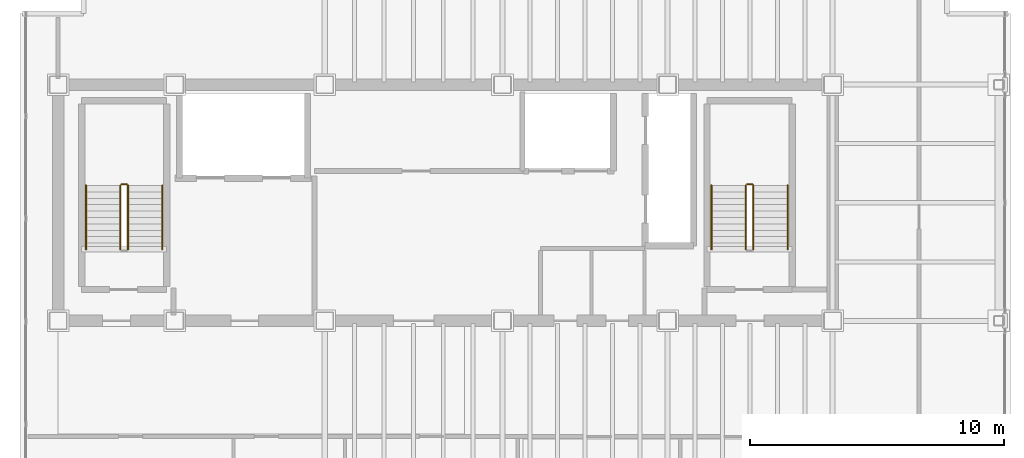
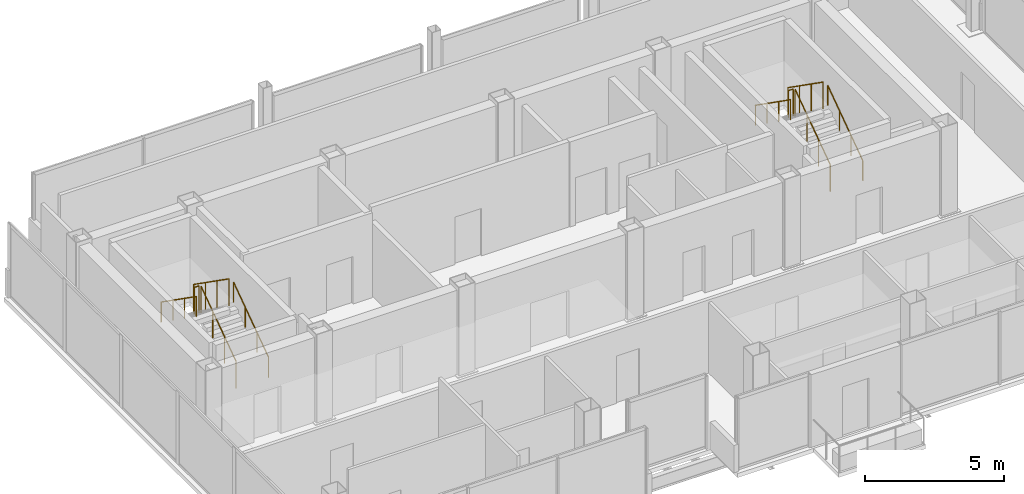
# One storey, part 17 of 17: 10 railings.
"""IFC4 building model written with IfcOpenShell, lengths in metres."""

from ifc_helpers import new_model, si_unit, direction, frame, origin, origin_2d, place, context, subcontext, project, spatial, circle, extrude, material, layer, layer_set, type_object, element, save


model = new_model("IFC4")

# Units and contexts
model_context = context("Model", 3, precision=1e-05, world=origin(), true_north=direction((0.0, 1.0)))
body_context = subcontext(model_context, "Body", "Model", "MODEL_VIEW")
ifc_project = project(units=[si_unit("LENGTHUNIT", "METRE"), si_unit("AREAUNIT", "SQUARE_METRE"), si_unit("VOLUMEUNIT", "CUBIC_METRE"), si_unit("PLANEANGLEUNIT", "RADIAN"), si_unit("MASSUNIT", "GRAM", prefix="KILO")], contexts=[model_context])

# Site, building, storey
site_placement = place(None, origin())
site = spatial("IfcSite", under=ifc_project, at=site_placement, CompositionType="ELEMENT")
building_placement = place(site_placement, origin())
building = spatial("IfcBuilding", under=site, at=building_placement, Name="Noeulbin Bourse Tower", CompositionType="ELEMENT")
storey_placement = place(building_placement, frame((0.0, 0.0, 289.10009765625)))
storey = spatial("IfcBuildingStorey", under=building, at=storey_placement, Name="L72", CompositionType="ELEMENT", Elevation=289.10009765625)

# Railings
ifc_material_1 = material(Name="Painted Tubular Steel S355", Category="steel")
ifc_layer_1 = layer(ifc_material_1, 0.048095703125)
ifc_layer_set_1 = layer_set([ifc_layer_1], Name="Painted Tubular Steel S355")
railing_type_1 = type_object("IfcRailingType", Name="RLG-STR-GRD", PredefinedType="GUARDRAIL", material=ifc_layer_set_1)
railing_1_placement = place(storey_placement, frame((16.25, 31.81005859375, 0.17724609375)))
element("IfcRailing", 1, at=railing_1_placement, inside=storey, type_object=railing_type_1, Name="L72 ST-1 stair guard 1", PredefinedType="GUARDRAIL", context=body_context, shape_type="SweptSolid", body=[
    extrude(circle(Radius=0.02392578125, at=origin_2d()), frame((0.0, 0.0, 1.17578125), z_axis=(0.0, 0.817904474719, 0.575354039036), x_axis=(-1.0, 0.0, 0.0)), (0.0, 0.0, 1.0), 3.0810546875),
    extrude(circle(Radius=0.02099609375, at=origin_2d()), origin(), (0.0, 0.0, 1.0), 1.15185546875),
    extrude(circle(Radius=0.02099609375, at=origin_2d()), frame((0.0, 0.840087890625, 0.5908203125)), (0.0, 0.0, 1.0), 1.15185546875),
    extrude(circle(Radius=0.02099609375, at=origin_2d()), frame((0.0, 1.679931640625, 1.181884765625)), (0.0, 0.0, 1.0), 1.15185546875),
    extrude(circle(Radius=0.02099609375, at=origin_2d()), frame((0.0, 2.52001953125, 1.772705078125)), (0.0, 0.0, 1.0), 1.15185546875),
])
railing_2_placement = place(storey_placement, frame((16.199951171875, 34.3798828125, 1.949951171875)))
element("IfcRailing", 2, at=railing_2_placement, inside=storey, type_object=railing_type_1, Name="L72 ST-1 stair guard 2", PredefinedType="GUARDRAIL", context=body_context, shape_type="SweptSolid", body=[
    extrude(circle(Radius=0.02392578125, at=origin_2d()), frame((0.0, 0.0, 1.17578125), z_axis=(-1.0, 0.0, 0.0), x_axis=(0.0, -1.0, 0.0)), (0.0, 0.0, 1.0), 0.199951171875),
    extrude(circle(Radius=0.02099609375, at=origin_2d()), origin(), (0.0, 0.0, 1.0), 1.15185546875),
    extrude(circle(Radius=0.02099609375, at=origin_2d()), frame((-0.199951171875, 0.0, 0.0)), (0.0, 0.0, 1.0), 1.15185546875),
])
railing_3_placement = place(storey_placement, frame((15.949951171875, 34.330078125, 2.127197265625)))
element("IfcRailing", 3, at=railing_3_placement, inside=storey, type_object=railing_type_1, Name="L72 ST-1 stair guard 3", PredefinedType="GUARDRAIL", context=body_context, shape_type="SweptSolid", body=[
    extrude(circle(Radius=0.02392578125, at=origin_2d()), frame((0.0, 0.0, 1.17578125), z_axis=(0.0, -0.817904474719, 0.575354039036), x_axis=(1.0, 0.0, 0.0)), (0.0, 0.0, 1.0), 3.0810546875),
    extrude(circle(Radius=0.02099609375, at=origin_2d()), origin(), (0.0, 0.0, 1.0), 1.15185546875),
    extrude(circle(Radius=0.02099609375, at=origin_2d()), frame((0.0, -0.840087890625, 0.5908203125)), (0.0, 0.0, 1.0), 1.15185546875),
    extrude(circle(Radius=0.02099609375, at=origin_2d()), frame((0.0, -1.679931640625, 1.181884765625)), (0.0, 0.0, 1.0), 1.15185546875),
    extrude(circle(Radius=0.02099609375, at=origin_2d()), frame((0.0, -2.52001953125, 1.772705078125)), (0.0, 0.0, 1.0), 1.15185546875),
])
railing_4_placement = place(storey_placement, frame((40.8798828125, 31.81005859375, 0.17724609375)))
element("IfcRailing", 4, at=railing_4_placement, inside=storey, type_object=railing_type_1, Name="L72 ST-2 stair guard 1", PredefinedType="GUARDRAIL", context=body_context, shape_type="SweptSolid", body=[
    extrude(circle(Radius=0.02392578125, at=origin_2d()), frame((0.0, 0.0, 1.17578125), z_axis=(0.0, 0.817904474719, 0.575354039036), x_axis=(-1.0, 0.0, 0.0)), (0.0, 0.0, 1.0), 3.0810546875),
    extrude(circle(Radius=0.02099609375, at=origin_2d()), origin(), (0.0, 0.0, 1.0), 1.15185546875),
    extrude(circle(Radius=0.02099609375, at=origin_2d()), frame((0.0, 0.840087890625, 0.5908203125)), (0.0, 0.0, 1.0), 1.15185546875),
    extrude(circle(Radius=0.02099609375, at=origin_2d()), frame((0.0, 1.679931640625, 1.181884765625)), (0.0, 0.0, 1.0), 1.15185546875),
    extrude(circle(Radius=0.02099609375, at=origin_2d()), frame((0.0, 2.52001953125, 1.772705078125)), (0.0, 0.0, 1.0), 1.15185546875),
])
railing_5_placement = place(storey_placement, frame((40.830078125, 34.3798828125, 1.949951171875)))
element("IfcRailing", 5, at=railing_5_placement, inside=storey, type_object=railing_type_1, Name="L72 ST-2 stair guard 2", PredefinedType="GUARDRAIL", context=body_context, shape_type="SweptSolid", body=[
    extrude(circle(Radius=0.02392578125, at=origin_2d()), frame((0.0, 0.0, 1.17578125), z_axis=(-1.0, 0.0, 0.0), x_axis=(0.0, -1.0, 0.0)), (0.0, 0.0, 1.0), 0.2001953125),
    extrude(circle(Radius=0.02099609375, at=origin_2d()), origin(), (0.0, 0.0, 1.0), 1.15185546875),
    extrude(circle(Radius=0.02099609375, at=origin_2d()), frame((-0.2001953125, 0.0, 0.0)), (0.0, 0.0, 1.0), 1.15185546875),
])
railing_6_placement = place(storey_placement, frame((40.580078125, 34.330078125, 2.127197265625)))
element("IfcRailing", 6, at=railing_6_placement, inside=storey, type_object=railing_type_1, Name="L72 ST-2 stair guard 3", PredefinedType="GUARDRAIL", context=body_context, shape_type="SweptSolid", body=[
    extrude(circle(Radius=0.02392578125, at=origin_2d()), frame((0.0, 0.0, 1.17578125), z_axis=(0.0, -0.817904474719, 0.575354039036), x_axis=(1.0, 0.0, 0.0)), (0.0, 0.0, 1.0), 3.0810546875),
    extrude(circle(Radius=0.02099609375, at=origin_2d()), origin(), (0.0, 0.0, 1.0), 1.15185546875),
    extrude(circle(Radius=0.02099609375, at=origin_2d()), frame((0.0, -0.840087890625, 0.5908203125)), (0.0, 0.0, 1.0), 1.15185546875),
    extrude(circle(Radius=0.02099609375, at=origin_2d()), frame((0.0, -1.679931640625, 1.181884765625)), (0.0, 0.0, 1.0), 1.15185546875),
    extrude(circle(Radius=0.02099609375, at=origin_2d()), frame((0.0, -2.52001953125, 1.772705078125)), (0.0, 0.0, 1.0), 1.15185546875),
])
ifc_material_2 = material(Name="Brushed Stainless Steel 316", Category="steel")
ifc_layer_2 = layer(ifc_material_2, 0.048095703125)
ifc_layer_set_2 = layer_set([ifc_layer_2], Name="Brushed Stainless Steel 316")
railing_type_2 = type_object("IfcRailingType", Name="RLG-STR-HND", PredefinedType="HANDRAIL", material=ifc_layer_set_2)
railing_7_placement = place(storey_placement, frame((17.60009765625, 31.81005859375, 0.17724609375)))
element("IfcRailing", 7, at=railing_7_placement, inside=storey, type_object=railing_type_2, Name="L72 ST-1 stair handrail 1", PredefinedType="HANDRAIL", context=body_context, shape_type="SweptSolid", body=[
    extrude(circle(Radius=0.02392578125, at=origin_2d()), frame((0.0, 0.0, 0.8759765625), z_axis=(0.0, 0.817904474719, 0.575354039036), x_axis=(-1.0, 0.0, 0.0)), (0.0, 0.0, 1.0), 3.0810546875),
    extrude(circle(Radius=0.02099609375, at=origin_2d()), origin(), (0.0, 0.0, 1.0), 0.851806640625),
    extrude(circle(Radius=0.02099609375, at=origin_2d()), frame((0.0, 0.840087890625, 0.5908203125)), (0.0, 0.0, 1.0), 0.851806640625),
    extrude(circle(Radius=0.02099609375, at=origin_2d()), frame((0.0, 1.679931640625, 1.181884765625)), (0.0, 0.0, 1.0), 0.851806640625),
    extrude(circle(Radius=0.02099609375, at=origin_2d()), frame((0.0, 2.52001953125, 1.772705078125)), (0.0, 0.0, 1.0), 0.851806640625),
])
railing_8_placement = place(storey_placement, frame((14.60009765625, 34.330078125, 2.127197265625)))
element("IfcRailing", 8, at=railing_8_placement, inside=storey, type_object=railing_type_2, Name="L72 ST-1 stair handrail 2", PredefinedType="HANDRAIL", context=body_context, shape_type="SweptSolid", body=[
    extrude(circle(Radius=0.02392578125, at=origin_2d()), frame((0.0, 0.0, 0.8759765625), z_axis=(0.0, -0.817904474719, 0.575354039036), x_axis=(1.0, 0.0, 0.0)), (0.0, 0.0, 1.0), 3.0810546875),
    extrude(circle(Radius=0.02099609375, at=origin_2d()), origin(), (0.0, 0.0, 1.0), 0.851806640625),
    extrude(circle(Radius=0.02099609375, at=origin_2d()), frame((0.0, -0.840087890625, 0.5908203125)), (0.0, 0.0, 1.0), 0.851806640625),
    extrude(circle(Radius=0.02099609375, at=origin_2d()), frame((0.0, -1.679931640625, 1.181884765625)), (0.0, 0.0, 1.0), 0.851806640625),
    extrude(circle(Radius=0.02099609375, at=origin_2d()), frame((0.0, -2.52001953125, 1.772705078125)), (0.0, 0.0, 1.0), 0.851806640625),
])
railing_9_placement = place(storey_placement, frame((42.22998046875, 31.81005859375, 0.17724609375)))
element("IfcRailing", 9, at=railing_9_placement, inside=storey, type_object=railing_type_2, Name="L72 ST-2 stair handrail 1", PredefinedType="HANDRAIL", context=body_context, shape_type="SweptSolid", body=[
    extrude(circle(Radius=0.02392578125, at=origin_2d()), frame((0.0, 0.0, 0.8759765625), z_axis=(0.0, 0.817904474719, 0.575354039036), x_axis=(-1.0, 0.0, 0.0)), (0.0, 0.0, 1.0), 3.0810546875),
    extrude(circle(Radius=0.02099609375, at=origin_2d()), origin(), (0.0, 0.0, 1.0), 0.851806640625),
    extrude(circle(Radius=0.02099609375, at=origin_2d()), frame((0.0, 0.840087890625, 0.5908203125)), (0.0, 0.0, 1.0), 0.851806640625),
    extrude(circle(Radius=0.02099609375, at=origin_2d()), frame((0.0, 1.679931640625, 1.181884765625)), (0.0, 0.0, 1.0), 0.851806640625),
    extrude(circle(Radius=0.02099609375, at=origin_2d()), frame((0.0, 2.52001953125, 1.772705078125)), (0.0, 0.0, 1.0), 0.851806640625),
])
railing_10_placement = place(storey_placement, frame((39.22998046875, 34.330078125, 2.127197265625)))
element("IfcRailing", 10, at=railing_10_placement, inside=storey, type_object=railing_type_2, Name="L72 ST-2 stair handrail 2", PredefinedType="HANDRAIL", context=body_context, shape_type="SweptSolid", body=[
    extrude(circle(Radius=0.02392578125, at=origin_2d()), frame((0.0, 0.0, 0.8759765625), z_axis=(0.0, -0.817904474719, 0.575354039036), x_axis=(1.0, 0.0, 0.0)), (0.0, 0.0, 1.0), 3.0810546875),
    extrude(circle(Radius=0.02099609375, at=origin_2d()), origin(), (0.0, 0.0, 1.0), 0.851806640625),
    extrude(circle(Radius=0.02099609375, at=origin_2d()), frame((0.0, -0.840087890625, 0.5908203125)), (0.0, 0.0, 1.0), 0.851806640625),
    extrude(circle(Radius=0.02099609375, at=origin_2d()), frame((0.0, -1.679931640625, 1.181884765625)), (0.0, 0.0, 1.0), 0.851806640625),
    extrude(circle(Radius=0.02099609375, at=origin_2d()), frame((0.0, -2.52001953125, 1.772705078125)), (0.0, 0.0, 1.0), 0.851806640625),
])

save(model, "model.ifc")
